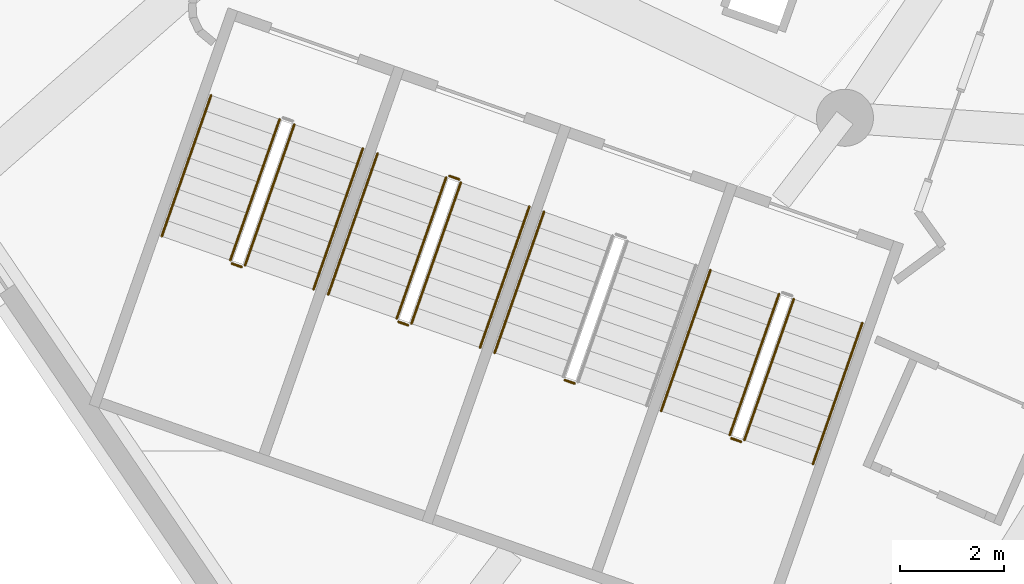
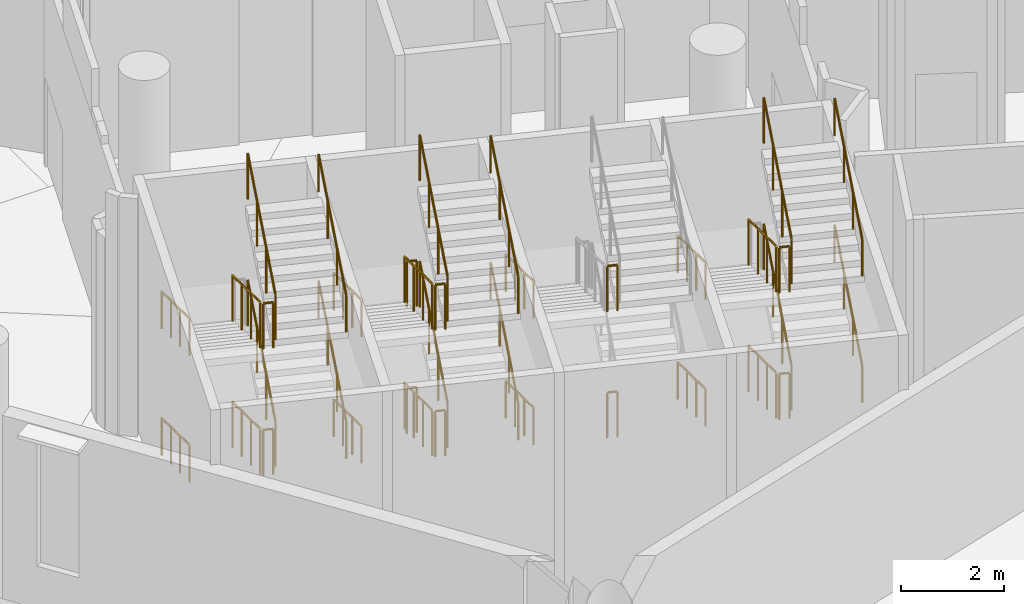
# One storey, part 199 of 249: 36 railings.
"""IFC4 building model written with IfcOpenShell, lengths in metres."""

from ifc_helpers import new_model, si_unit, direction, frame, origin, origin_2d, place, context, subcontext, project, spatial, circle, extrude, material, type_object, element, save


model = new_model("IFC4")

# Units and contexts
model_context = context("Model", 3, precision=1e-05, world=origin(), true_north=direction((0.0, 1.0)))
body_context = subcontext(model_context, "Body", "Model", "MODEL_VIEW")
ifc_project = project(units=[si_unit("LENGTHUNIT", "METRE"), si_unit("AREAUNIT", "SQUARE_METRE"), si_unit("VOLUMEUNIT", "CUBIC_METRE"), si_unit("PLANEANGLEUNIT", "RADIAN"), si_unit("MASSUNIT", "GRAM", prefix="KILO")], contexts=[model_context])

# Site, building, storey
site_placement = place(None, origin())
site = spatial("IfcSite", under=ifc_project, at=site_placement, CompositionType="ELEMENT")
building_placement = place(site_placement, origin())
building = spatial("IfcBuilding", under=site, at=building_placement, Name="Meseta Stadium", CompositionType="ELEMENT")
storey_placement = place(building_placement, frame((0.0, 0.0, 12.0)))
storey = spatial("IfcBuildingStorey", under=building, at=storey_placement, Name="L02", CompositionType="ELEMENT", Elevation=12.0)

# Railings
ifc_material_1 = material(Name="Steel S355", Category="steel")
railing_type_1 = type_object("IfcRailingType", Name="Stair guard 1100", PredefinedType="GUARDRAIL", material=ifc_material_1)
railing_1_placement = place(storey_placement, frame((-65.421630859375, -89.608154296875, 0.14990234375)))
element("IfcRailing", 1, at=railing_1_placement, inside=storey, type_object=railing_type_1, Name="ST85 L02 guard 1", PredefinedType="GUARDRAIL", context=body_context, shape_type="SweptSolid", body=[
    extrude(circle(Radius=0.02392578125, at=origin_2d()), frame((0.0, 0.0, 1.076171875), z_axis=(-0.299050945451, -0.854628651604, 0.424474262922), x_axis=(0.943882143717, -0.33028245302, 0.0)), (0.0, 0.0, 1.0), 3.1806640625),
    extrude(circle(Radius=0.02099609375, at=origin_2d()), origin(), (0.0, 0.0, 1.0), 1.052001953125),
    extrude(circle(Radius=0.02099609375, at=origin_2d()), frame((-0.317138671875, -0.906005859375, 0.449951171875)), (0.0, 0.0, 1.0), 1.052001953125),
    extrude(circle(Radius=0.02099609375, at=origin_2d()), frame((-0.634033203125, -1.812255859375, 0.900146484375)), (0.0, 0.0, 1.0), 1.052001953125),
    extrude(circle(Radius=0.02099609375, at=origin_2d()), frame((-0.951171875, -2.71826171875, 1.35009765625)), (0.0, 0.0, 1.0), 1.052001953125),
])
railing_2_placement = place(storey_placement, frame((-66.342041015625, -92.39013671875, 1.5)))
element("IfcRailing", 2, at=railing_2_placement, inside=storey, type_object=railing_type_1, Name="ST85 L02 guard 2", PredefinedType="GUARDRAIL", context=body_context, shape_type="SweptSolid", body=[
    extrude(circle(Radius=0.02392578125, at=origin_2d()), frame((0.0, 0.0, 1.076171875), z_axis=(0.943686935281, -0.330839792317, 0.0), x_axis=(0.330839792317, 0.943686935281, 0.0)), (0.0, 0.0, 1.0), 0.199951171875),
    extrude(circle(Radius=0.02099609375, at=origin_2d()), origin(), (0.0, 0.0, 1.0), 1.052001953125),
    extrude(circle(Radius=0.02099609375, at=origin_2d()), frame((0.188720703125, -0.066162109375, 0.0)), (0.0, 0.0, 1.0), 1.052001953125),
])
railing_3_placement = place(storey_placement, frame((-66.089599609375, -92.425537109375, 1.64990234375)))
element("IfcRailing", 3, at=railing_3_placement, inside=storey, type_object=railing_type_1, Name="ST85 L02 guard 3", PredefinedType="GUARDRAIL", context=body_context, shape_type="SweptSolid", body=[
    extrude(circle(Radius=0.02392578125, at=origin_2d()), frame((0.0, 0.0, 1.076171875), z_axis=(0.299050945451, 0.854628651604, 0.424474262922), x_axis=(-0.943882143717, 0.33028245302, 0.0)), (0.0, 0.0, 1.0), 3.1806640625),
    extrude(circle(Radius=0.02099609375, at=origin_2d()), origin(), (0.0, 0.0, 1.0), 1.052001953125),
    extrude(circle(Radius=0.02099609375, at=origin_2d()), frame((0.317138671875, 0.906005859375, 0.449951171875)), (0.0, 0.0, 1.0), 1.052001953125),
    extrude(circle(Radius=0.02099609375, at=origin_2d()), frame((0.634033203125, 1.812255859375, 0.900146484375)), (0.0, 0.0, 1.0), 1.052001953125),
    extrude(circle(Radius=0.02099609375, at=origin_2d()), frame((0.951171875, 2.71826171875, 1.35009765625)), (0.0, 0.0, 1.0), 1.052001953125),
])
railing_4_placement = place(storey_placement, frame((-65.421630859375, -89.608154296875, 3.14990234375)))
element("IfcRailing", 4, at=railing_4_placement, inside=storey, type_object=railing_type_1, Name="ST85 L02 guard 5", PredefinedType="GUARDRAIL", context=body_context, shape_type="SweptSolid", body=[
    extrude(circle(Radius=0.02392578125, at=origin_2d()), frame((0.0, 0.0, 1.076171875), z_axis=(-0.299050945451, -0.854628651604, 0.424474262922), x_axis=(0.943882143717, -0.33028245302, 0.0)), (0.0, 0.0, 1.0), 3.1806640625),
    extrude(circle(Radius=0.02099609375, at=origin_2d()), origin(), (0.0, 0.0, 1.0), 1.052001953125),
    extrude(circle(Radius=0.02099609375, at=origin_2d()), frame((-0.317138671875, -0.906005859375, 0.449951171875)), (0.0, 0.0, 1.0), 1.052001953125),
    extrude(circle(Radius=0.02099609375, at=origin_2d()), frame((-0.634033203125, -1.812255859375, 0.900146484375)), (0.0, 0.0, 1.0), 1.052001953125),
    extrude(circle(Radius=0.02099609375, at=origin_2d()), frame((-0.951171875, -2.71826171875, 1.35009765625)), (0.0, 0.0, 1.0), 1.052001953125),
])
railing_5_placement = place(storey_placement, frame((-66.342041015625, -92.39013671875, 4.5)))
element("IfcRailing", 5, at=railing_5_placement, inside=storey, type_object=railing_type_1, Name="ST85 L02 guard 6", PredefinedType="GUARDRAIL", context=body_context, shape_type="SweptSolid", body=[
    extrude(circle(Radius=0.02392578125, at=origin_2d()), frame((0.0, 0.0, 1.076171875), z_axis=(0.943686935281, -0.330839792317, 0.0), x_axis=(0.330839792317, 0.943686935281, 0.0)), (0.0, 0.0, 1.0), 0.199951171875),
    extrude(circle(Radius=0.02099609375, at=origin_2d()), origin(), (0.0, 0.0, 1.0), 1.052001953125),
    extrude(circle(Radius=0.02099609375, at=origin_2d()), frame((0.188720703125, -0.066162109375, 0.0)), (0.0, 0.0, 1.0), 1.052001953125),
])
railing_6_placement = place(storey_placement, frame((-66.089599609375, -92.425537109375, 4.64990234375)))
element("IfcRailing", 6, at=railing_6_placement, inside=storey, type_object=railing_type_1, Name="ST85 L02 guard 7", PredefinedType="GUARDRAIL", context=body_context, shape_type="SweptSolid", body=[
    extrude(circle(Radius=0.02392578125, at=origin_2d()), frame((0.0, 0.0, 1.076171875), z_axis=(0.299050945451, 0.854628651604, 0.424474262922), x_axis=(-0.943882143717, 0.33028245302, 0.0)), (0.0, 0.0, 1.0), 3.1806640625),
    extrude(circle(Radius=0.02099609375, at=origin_2d()), origin(), (0.0, 0.0, 1.0), 1.052001953125),
    extrude(circle(Radius=0.02099609375, at=origin_2d()), frame((0.317138671875, 0.906005859375, 0.449951171875)), (0.0, 0.0, 1.0), 1.052001953125),
    extrude(circle(Radius=0.02099609375, at=origin_2d()), frame((0.634033203125, 1.812255859375, 0.900146484375)), (0.0, 0.0, 1.0), 1.052001953125),
    extrude(circle(Radius=0.02099609375, at=origin_2d()), frame((0.951171875, 2.71826171875, 1.35009765625)), (0.0, 0.0, 1.0), 1.052001953125),
])
railing_7_placement = place(storey_placement, frame((-62.21240234375, -90.73095703125, 0.14990234375)))
element("IfcRailing", 7, at=railing_7_placement, inside=storey, type_object=railing_type_1, Name="ST86 L02 guard 1", PredefinedType="GUARDRAIL", context=body_context, shape_type="SweptSolid", body=[
    extrude(circle(Radius=0.02392578125, at=origin_2d()), frame((0.0, 0.0, 1.076171875), z_axis=(-0.299031328765, -0.854649344405, 0.42444641891), x_axis=(0.943891390388, -0.330256026668, 0.0)), (0.0, 0.0, 1.0), 3.180908203125),
    extrude(circle(Radius=0.02099609375, at=origin_2d()), origin(), (0.0, 0.0, 1.0), 1.052001953125),
    extrude(circle(Radius=0.02099609375, at=origin_2d()), frame((-0.317138671875, -0.90625, 0.449951171875)), (0.0, 0.0, 1.0), 1.052001953125),
    extrude(circle(Radius=0.02099609375, at=origin_2d()), frame((-0.634033203125, -1.812255859375, 0.900146484375)), (0.0, 0.0, 1.0), 1.052001953125),
    extrude(circle(Radius=0.02099609375, at=origin_2d()), frame((-0.951171875, -2.718505859375, 1.35009765625)), (0.0, 0.0, 1.0), 1.052001953125),
])
railing_8_placement = place(storey_placement, frame((-63.1328125, -93.51318359375, 1.5)))
element("IfcRailing", 8, at=railing_8_placement, inside=storey, type_object=railing_type_1, Name="ST86 L02 guard 2", PredefinedType="GUARDRAIL", context=body_context, shape_type="SweptSolid", body=[
    extrude(circle(Radius=0.02392578125, at=origin_2d()), frame((0.0, 0.0, 1.076171875), z_axis=(0.944067610699, -0.329751946816, 0.0), x_axis=(0.329751946816, 0.944067610699, 0.0)), (0.0, 0.0, 1.0), 0.199951171875),
    extrude(circle(Radius=0.02099609375, at=origin_2d()), origin(), (0.0, 0.0, 1.0), 1.052001953125),
    extrude(circle(Radius=0.02099609375, at=origin_2d()), frame((0.188720703125, -0.06591796875, 0.0)), (0.0, 0.0, 1.0), 1.052001953125),
])
railing_9_placement = place(storey_placement, frame((-62.88037109375, -93.548583984375, 1.64990234375)))
element("IfcRailing", 9, at=railing_9_placement, inside=storey, type_object=railing_type_1, Name="ST86 L02 guard 3", PredefinedType="GUARDRAIL", context=body_context, shape_type="SweptSolid", body=[
    extrude(circle(Radius=0.02392578125, at=origin_2d()), frame((0.0, 0.0, 1.076171875), z_axis=(0.299031328765, 0.854649344405, 0.42444641891), x_axis=(-0.943891390388, 0.330256026668, 0.0)), (0.0, 0.0, 1.0), 3.180908203125),
    extrude(circle(Radius=0.02099609375, at=origin_2d()), origin(), (0.0, 0.0, 1.0), 1.052001953125),
    extrude(circle(Radius=0.02099609375, at=origin_2d()), frame((0.317138671875, 0.90625, 0.449951171875)), (0.0, 0.0, 1.0), 1.052001953125),
    extrude(circle(Radius=0.02099609375, at=origin_2d()), frame((0.634033203125, 1.812255859375, 0.900146484375)), (0.0, 0.0, 1.0), 1.052001953125),
    extrude(circle(Radius=0.02099609375, at=origin_2d()), frame((0.951171875, 2.718505859375, 1.35009765625)), (0.0, 0.0, 1.0), 1.052001953125),
])
railing_10_placement = place(storey_placement, frame((-62.148681640625, -90.700439453125, 3.0)))
element("IfcRailing", 10, at=railing_10_placement, inside=storey, type_object=railing_type_1, Name="ST86 L02 guard 4", PredefinedType="GUARDRAIL", context=body_context, shape_type="SweptSolid", body=[
    extrude(circle(Radius=0.02392578125, at=origin_2d()), frame((0.0, 0.0, 1.076171875), z_axis=(0.944067610699, -0.329751946816, 0.0), x_axis=(0.329751946816, 0.944067610699, 0.0)), (0.0, 0.0, 1.0), 0.199951171875),
    extrude(circle(Radius=0.02099609375, at=origin_2d()), origin(), (0.0, 0.0, 1.0), 1.052001953125),
    extrude(circle(Radius=0.02099609375, at=origin_2d()), frame((0.188720703125, -0.06591796875, 0.0)), (0.0, 0.0, 1.0), 1.052001953125),
])
railing_11_placement = place(storey_placement, frame((-62.21240234375, -90.73095703125, 3.14990234375)))
element("IfcRailing", 11, at=railing_11_placement, inside=storey, type_object=railing_type_1, Name="ST86 L02 guard 5", PredefinedType="GUARDRAIL", context=body_context, shape_type="SweptSolid", body=[
    extrude(circle(Radius=0.02392578125, at=origin_2d()), frame((0.0, 0.0, 1.076171875), z_axis=(-0.299031328765, -0.854649344405, 0.42444641891), x_axis=(0.943891390388, -0.330256026668, 0.0)), (0.0, 0.0, 1.0), 3.180908203125),
    extrude(circle(Radius=0.02099609375, at=origin_2d()), origin(), (0.0, 0.0, 1.0), 1.052001953125),
    extrude(circle(Radius=0.02099609375, at=origin_2d()), frame((-0.317138671875, -0.90625, 0.449951171875)), (0.0, 0.0, 1.0), 1.052001953125),
    extrude(circle(Radius=0.02099609375, at=origin_2d()), frame((-0.634033203125, -1.812255859375, 0.900146484375)), (0.0, 0.0, 1.0), 1.052001953125),
    extrude(circle(Radius=0.02099609375, at=origin_2d()), frame((-0.951171875, -2.718505859375, 1.35009765625)), (0.0, 0.0, 1.0), 1.052001953125),
])
railing_12_placement = place(storey_placement, frame((-63.1328125, -93.51318359375, 4.5)))
element("IfcRailing", 12, at=railing_12_placement, inside=storey, type_object=railing_type_1, Name="ST86 L02 guard 6", PredefinedType="GUARDRAIL", context=body_context, shape_type="SweptSolid", body=[
    extrude(circle(Radius=0.02392578125, at=origin_2d()), frame((0.0, 0.0, 1.076171875), z_axis=(0.944067610699, -0.329751946816, 0.0), x_axis=(0.329751946816, 0.944067610699, 0.0)), (0.0, 0.0, 1.0), 0.199951171875),
    extrude(circle(Radius=0.02099609375, at=origin_2d()), origin(), (0.0, 0.0, 1.0), 1.052001953125),
    extrude(circle(Radius=0.02099609375, at=origin_2d()), frame((0.188720703125, -0.06591796875, 0.0)), (0.0, 0.0, 1.0), 1.052001953125),
])
railing_13_placement = place(storey_placement, frame((-62.88037109375, -93.548583984375, 4.64990234375)))
element("IfcRailing", 13, at=railing_13_placement, inside=storey, type_object=railing_type_1, Name="ST86 L02 guard 7", PredefinedType="GUARDRAIL", context=body_context, shape_type="SweptSolid", body=[
    extrude(circle(Radius=0.02392578125, at=origin_2d()), frame((0.0, 0.0, 1.076171875), z_axis=(0.299031328765, 0.854649344405, 0.42444641891), x_axis=(-0.943891390388, 0.330256026668, 0.0)), (0.0, 0.0, 1.0), 3.180908203125),
    extrude(circle(Radius=0.02099609375, at=origin_2d()), origin(), (0.0, 0.0, 1.0), 1.052001953125),
    extrude(circle(Radius=0.02099609375, at=origin_2d()), frame((0.317138671875, 0.90625, 0.449951171875)), (0.0, 0.0, 1.0), 1.052001953125),
    extrude(circle(Radius=0.02099609375, at=origin_2d()), frame((0.634033203125, 1.812255859375, 0.900146484375)), (0.0, 0.0, 1.0), 1.052001953125),
    extrude(circle(Radius=0.02099609375, at=origin_2d()), frame((0.951171875, 2.718505859375, 1.35009765625)), (0.0, 0.0, 1.0), 1.052001953125),
])
railing_14_placement = place(storey_placement, frame((-62.148681640625, -90.700439453125, 0.0)))
element("IfcRailing", 14, at=railing_14_placement, inside=storey, type_object=railing_type_1, Name="ST86 L02 guard 8", PredefinedType="GUARDRAIL", context=body_context, shape_type="SweptSolid", body=[
    extrude(circle(Radius=0.02392578125, at=origin_2d()), frame((0.0, 0.0, 1.076171875), z_axis=(0.944067610699, -0.329751946816, 0.0), x_axis=(0.329751946816, 0.944067610699, 0.0)), (0.0, 0.0, 1.0), 0.199951171875),
    extrude(circle(Radius=0.02099609375, at=origin_2d()), origin(), (0.0, 0.0, 1.0), 1.052001953125),
    extrude(circle(Radius=0.02099609375, at=origin_2d()), frame((0.188720703125, -0.06591796875, 0.0)), (0.0, 0.0, 1.0), 1.052001953125),
])
for number, where, name in (
    (15, (-59.923828125, -94.63623046875, 1.5), "ST87 L02 guard 2"),
    (16, (-59.923828125, -94.63623046875, 4.5), "ST87 L02 guard 6"),
):
    element("IfcRailing", number, at=place(storey_placement, frame(where)), inside=storey, type_object=railing_type_1, Name=name, PredefinedType="GUARDRAIL", context=body_context, shape_type="SweptSolid", body=[
        extrude(circle(Radius=0.02392578125, at=origin_2d()), frame((0.0, 0.0, 1.076171875), z_axis=(0.944200181446, -0.329372156318, 0.0), x_axis=(0.329372156318, 0.944200181446, 0.0)), (0.0, 0.0, 1.0), 0.2001953125),
        extrude(circle(Radius=0.02099609375, at=origin_2d()), origin(), (0.0, 0.0, 1.0), 1.052001953125),
        extrude(circle(Radius=0.02099609375, at=origin_2d()), frame((0.18896484375, -0.06591796875, 0.0)), (0.0, 0.0, 1.0), 1.052001953125),
    ])
railing_15_placement = place(storey_placement, frame((-55.7939453125, -92.97705078125, 0.14990234375)))
element("IfcRailing", 17, at=railing_15_placement, inside=storey, type_object=railing_type_1, Name="ST88 L02 guard 1", PredefinedType="GUARDRAIL", context=body_context, shape_type="SweptSolid", body=[
    extrude(circle(Radius=0.02392578125, at=origin_2d()), frame((0.0, 0.0, 1.076171875), z_axis=(-0.299050945451, -0.854628651604, 0.424474262922), x_axis=(0.943882143717, -0.33028245302, 0.0)), (0.0, 0.0, 1.0), 3.1806640625),
    extrude(circle(Radius=0.02099609375, at=origin_2d()), origin(), (0.0, 0.0, 1.0), 1.052001953125),
    extrude(circle(Radius=0.02099609375, at=origin_2d()), frame((-0.317138671875, -0.906005859375, 0.449951171875)), (0.0, 0.0, 1.0), 1.052001953125),
    extrude(circle(Radius=0.02099609375, at=origin_2d()), frame((-0.634033203125, -1.812255859375, 0.900146484375)), (0.0, 0.0, 1.0), 1.052001953125),
    extrude(circle(Radius=0.02099609375, at=origin_2d()), frame((-0.951171875, -2.71826171875, 1.35009765625)), (0.0, 0.0, 1.0), 1.052001953125),
])
railing_16_placement = place(storey_placement, frame((-56.714599609375, -95.759033203125, 1.5)))
element("IfcRailing", 18, at=railing_16_placement, inside=storey, type_object=railing_type_1, Name="ST88 L02 guard 2", PredefinedType="GUARDRAIL", context=body_context, shape_type="SweptSolid", body=[
    extrude(circle(Radius=0.02392578125, at=origin_2d()), frame((0.0, 0.0, 1.076171875), z_axis=(0.943820328543, -0.330459055601, 0.0), x_axis=(0.330459055601, 0.943820328543, 0.0)), (0.0, 0.0, 1.0), 0.2001953125),
    extrude(circle(Radius=0.02099609375, at=origin_2d()), origin(), (0.0, 0.0, 1.0), 1.052001953125),
    extrude(circle(Radius=0.02099609375, at=origin_2d()), frame((0.18896484375, -0.066162109375, 0.0)), (0.0, 0.0, 1.0), 1.052001953125),
])
railing_17_placement = place(storey_placement, frame((-56.462158203125, -95.79443359375, 1.64990234375)))
element("IfcRailing", 19, at=railing_17_placement, inside=storey, type_object=railing_type_1, Name="ST88 L02 guard 3", PredefinedType="GUARDRAIL", context=body_context, shape_type="SweptSolid", body=[
    extrude(circle(Radius=0.02392578125, at=origin_2d()), frame((0.0, 0.0, 1.076171875), z_axis=(0.299120836879, 0.854609032027, 0.424464518332), x_axis=(-0.943855713099, 0.330357976823, 0.0)), (0.0, 0.0, 1.0), 3.1806640625),
    extrude(circle(Radius=0.02099609375, at=origin_2d()), origin(), (0.0, 0.0, 1.0), 1.052001953125),
    extrude(circle(Radius=0.02099609375, at=origin_2d()), frame((0.317138671875, 0.906005859375, 0.449951171875)), (0.0, 0.0, 1.0), 1.052001953125),
    extrude(circle(Radius=0.02099609375, at=origin_2d()), frame((0.63427734375, 1.812255859375, 0.900146484375)), (0.0, 0.0, 1.0), 1.052001953125),
    extrude(circle(Radius=0.02099609375, at=origin_2d()), frame((0.951416015625, 2.71826171875, 1.35009765625)), (0.0, 0.0, 1.0), 1.052001953125),
])
railing_18_placement = place(storey_placement, frame((-55.7939453125, -92.97705078125, 3.14990234375)))
element("IfcRailing", 20, at=railing_18_placement, inside=storey, type_object=railing_type_1, Name="ST88 L02 guard 5", PredefinedType="GUARDRAIL", context=body_context, shape_type="SweptSolid", body=[
    extrude(circle(Radius=0.02392578125, at=origin_2d()), frame((0.0, 0.0, 1.076171875), z_axis=(-0.299050945451, -0.854628651604, 0.424474262922), x_axis=(0.943882143717, -0.33028245302, 0.0)), (0.0, 0.0, 1.0), 3.1806640625),
    extrude(circle(Radius=0.02099609375, at=origin_2d()), origin(), (0.0, 0.0, 1.0), 1.052001953125),
    extrude(circle(Radius=0.02099609375, at=origin_2d()), frame((-0.317138671875, -0.906005859375, 0.449951171875)), (0.0, 0.0, 1.0), 1.052001953125),
    extrude(circle(Radius=0.02099609375, at=origin_2d()), frame((-0.634033203125, -1.812255859375, 0.900146484375)), (0.0, 0.0, 1.0), 1.052001953125),
    extrude(circle(Radius=0.02099609375, at=origin_2d()), frame((-0.951171875, -2.71826171875, 1.35009765625)), (0.0, 0.0, 1.0), 1.052001953125),
])
railing_19_placement = place(storey_placement, frame((-56.714599609375, -95.759033203125, 4.5)))
element("IfcRailing", 21, at=railing_19_placement, inside=storey, type_object=railing_type_1, Name="ST88 L02 guard 6", PredefinedType="GUARDRAIL", context=body_context, shape_type="SweptSolid", body=[
    extrude(circle(Radius=0.02392578125, at=origin_2d()), frame((0.0, 0.0, 1.076171875), z_axis=(0.943820328543, -0.330459055601, 0.0), x_axis=(0.330459055601, 0.943820328543, 0.0)), (0.0, 0.0, 1.0), 0.2001953125),
    extrude(circle(Radius=0.02099609375, at=origin_2d()), origin(), (0.0, 0.0, 1.0), 1.052001953125),
    extrude(circle(Radius=0.02099609375, at=origin_2d()), frame((0.18896484375, -0.066162109375, 0.0)), (0.0, 0.0, 1.0), 1.052001953125),
])
railing_20_placement = place(storey_placement, frame((-56.462158203125, -95.79443359375, 4.64990234375)))
element("IfcRailing", 22, at=railing_20_placement, inside=storey, type_object=railing_type_1, Name="ST88 L02 guard 7", PredefinedType="GUARDRAIL", context=body_context, shape_type="SweptSolid", body=[
    extrude(circle(Radius=0.02392578125, at=origin_2d()), frame((0.0, 0.0, 1.076171875), z_axis=(0.299120836879, 0.854609032027, 0.424464518332), x_axis=(-0.943855713099, 0.330357976823, 0.0)), (0.0, 0.0, 1.0), 3.1806640625),
    extrude(circle(Radius=0.02099609375, at=origin_2d()), origin(), (0.0, 0.0, 1.0), 1.052001953125),
    extrude(circle(Radius=0.02099609375, at=origin_2d()), frame((0.317138671875, 0.906005859375, 0.449951171875)), (0.0, 0.0, 1.0), 1.052001953125),
    extrude(circle(Radius=0.02099609375, at=origin_2d()), frame((0.63427734375, 1.812255859375, 0.900146484375)), (0.0, 0.0, 1.0), 1.052001953125),
    extrude(circle(Radius=0.02099609375, at=origin_2d()), frame((0.951416015625, 2.71826171875, 1.35009765625)), (0.0, 0.0, 1.0), 1.052001953125),
])
ifc_material_2 = material(Name="Steel S355", Category="steel")
railing_type_2 = type_object("IfcRailingType", Name="Stair handrail 900", PredefinedType="HANDRAIL", material=ifc_material_2)
railing_21_placement = place(storey_placement, frame((-66.7431640625, -89.145751953125, 0.14990234375)))
element("IfcRailing", 23, at=railing_21_placement, inside=storey, type_object=railing_type_2, Name="ST85 L02 handrail 1", PredefinedType="HANDRAIL", context=body_context, shape_type="SweptSolid", body=[
    extrude(circle(Radius=0.02392578125, at=origin_2d()), frame((0.0, 0.0, 0.8759765625), z_axis=(-0.299050945451, -0.854628651604, 0.424474262922), x_axis=(0.943882143717, -0.33028245302, 0.0)), (0.0, 0.0, 1.0), 3.1806640625),
    extrude(circle(Radius=0.02099609375, at=origin_2d()), origin(), (0.0, 0.0, 1.0), 0.851806640625),
    extrude(circle(Radius=0.02099609375, at=origin_2d()), frame((-0.317138671875, -0.906005859375, 0.449951171875)), (0.0, 0.0, 1.0), 0.851806640625),
    extrude(circle(Radius=0.02099609375, at=origin_2d()), frame((-0.634033203125, -1.812255859375, 0.900146484375)), (0.0, 0.0, 1.0), 0.851806640625),
    extrude(circle(Radius=0.02099609375, at=origin_2d()), frame((-0.951171875, -2.71826171875, 1.35009765625)), (0.0, 0.0, 1.0), 0.851806640625),
])
railing_22_placement = place(storey_placement, frame((-64.768310546875, -92.887939453125, 1.64990234375)))
element("IfcRailing", 24, at=railing_22_placement, inside=storey, type_object=railing_type_2, Name="ST85 L02 handrail 2", PredefinedType="HANDRAIL", context=body_context, shape_type="SweptSolid", body=[
    extrude(circle(Radius=0.02392578125, at=origin_2d()), frame((0.0, 0.0, 0.8759765625), z_axis=(0.299120836879, 0.854609032027, 0.424464518332), x_axis=(-0.943855713099, 0.330357976823, 0.0)), (0.0, 0.0, 1.0), 3.1806640625),
    extrude(circle(Radius=0.02099609375, at=origin_2d()), origin(), (0.0, 0.0, 1.0), 0.851806640625),
    extrude(circle(Radius=0.02099609375, at=origin_2d()), frame((0.317138671875, 0.906005859375, 0.449951171875)), (0.0, 0.0, 1.0), 0.851806640625),
    extrude(circle(Radius=0.02099609375, at=origin_2d()), frame((0.63427734375, 1.812255859375, 0.900146484375)), (0.0, 0.0, 1.0), 0.851806640625),
    extrude(circle(Radius=0.02099609375, at=origin_2d()), frame((0.951416015625, 2.71826171875, 1.35009765625)), (0.0, 0.0, 1.0), 0.851806640625),
])
railing_23_placement = place(storey_placement, frame((-66.7431640625, -89.145751953125, 3.14990234375)))
element("IfcRailing", 25, at=railing_23_placement, inside=storey, type_object=railing_type_2, Name="ST85 L02 handrail 3", PredefinedType="HANDRAIL", context=body_context, shape_type="SweptSolid", body=[
    extrude(circle(Radius=0.02392578125, at=origin_2d()), frame((0.0, 0.0, 0.8759765625), z_axis=(-0.299050945451, -0.854628651604, 0.424474262922), x_axis=(0.943882143717, -0.33028245302, 0.0)), (0.0, 0.0, 1.0), 3.1806640625),
    extrude(circle(Radius=0.02099609375, at=origin_2d()), origin(), (0.0, 0.0, 1.0), 0.851806640625),
    extrude(circle(Radius=0.02099609375, at=origin_2d()), frame((-0.317138671875, -0.906005859375, 0.449951171875)), (0.0, 0.0, 1.0), 0.851806640625),
    extrude(circle(Radius=0.02099609375, at=origin_2d()), frame((-0.634033203125, -1.812255859375, 0.900146484375)), (0.0, 0.0, 1.0), 0.851806640625),
    extrude(circle(Radius=0.02099609375, at=origin_2d()), frame((-0.951171875, -2.71826171875, 1.35009765625)), (0.0, 0.0, 1.0), 0.851806640625),
])
railing_24_placement = place(storey_placement, frame((-64.768310546875, -92.887939453125, 4.64990234375)))
element("IfcRailing", 26, at=railing_24_placement, inside=storey, type_object=railing_type_2, Name="ST85 L02 handrail 4", PredefinedType="HANDRAIL", context=body_context, shape_type="SweptSolid", body=[
    extrude(circle(Radius=0.02392578125, at=origin_2d()), frame((0.0, 0.0, 0.8759765625), z_axis=(0.299120836879, 0.854609032027, 0.424464518332), x_axis=(-0.943855713099, 0.330357976823, 0.0)), (0.0, 0.0, 1.0), 3.1806640625),
    extrude(circle(Radius=0.02099609375, at=origin_2d()), origin(), (0.0, 0.0, 1.0), 0.851806640625),
    extrude(circle(Radius=0.02099609375, at=origin_2d()), frame((0.317138671875, 0.906005859375, 0.449951171875)), (0.0, 0.0, 1.0), 0.851806640625),
    extrude(circle(Radius=0.02099609375, at=origin_2d()), frame((0.63427734375, 1.812255859375, 0.900146484375)), (0.0, 0.0, 1.0), 0.851806640625),
    extrude(circle(Radius=0.02099609375, at=origin_2d()), frame((0.951416015625, 2.71826171875, 1.35009765625)), (0.0, 0.0, 1.0), 0.851806640625),
])
railing_25_placement = place(storey_placement, frame((-63.533935546875, -90.268798828125, 0.14990234375)))
element("IfcRailing", 27, at=railing_25_placement, inside=storey, type_object=railing_type_2, Name="ST86 L02 handrail 1", PredefinedType="HANDRAIL", context=body_context, shape_type="SweptSolid", body=[
    extrude(circle(Radius=0.02392578125, at=origin_2d()), frame((0.0, 0.0, 0.8759765625), z_axis=(-0.299050945451, -0.854628651604, 0.424474262922), x_axis=(0.943882143717, -0.33028245302, 0.0)), (0.0, 0.0, 1.0), 3.1806640625),
    extrude(circle(Radius=0.02099609375, at=origin_2d()), origin(), (0.0, 0.0, 1.0), 0.851806640625),
    extrude(circle(Radius=0.02099609375, at=origin_2d()), frame((-0.317138671875, -0.906005859375, 0.449951171875)), (0.0, 0.0, 1.0), 0.851806640625),
    extrude(circle(Radius=0.02099609375, at=origin_2d()), frame((-0.634033203125, -1.812255859375, 0.900146484375)), (0.0, 0.0, 1.0), 0.851806640625),
    extrude(circle(Radius=0.02099609375, at=origin_2d()), frame((-0.951171875, -2.71826171875, 1.35009765625)), (0.0, 0.0, 1.0), 0.851806640625),
])
railing_26_placement = place(storey_placement, frame((-61.55908203125, -94.010986328125, 1.64990234375)))
element("IfcRailing", 28, at=railing_26_placement, inside=storey, type_object=railing_type_2, Name="ST86 L02 handrail 2", PredefinedType="HANDRAIL", context=body_context, shape_type="SweptSolid", body=[
    extrude(circle(Radius=0.02392578125, at=origin_2d()), frame((0.0, 0.0, 0.8759765625), z_axis=(0.299031328765, 0.854649344405, 0.42444641891), x_axis=(-0.943891390388, 0.330256026668, 0.0)), (0.0, 0.0, 1.0), 3.180908203125),
    extrude(circle(Radius=0.02099609375, at=origin_2d()), origin(), (0.0, 0.0, 1.0), 0.851806640625),
    extrude(circle(Radius=0.02099609375, at=origin_2d()), frame((0.317138671875, 0.90625, 0.449951171875)), (0.0, 0.0, 1.0), 0.851806640625),
    extrude(circle(Radius=0.02099609375, at=origin_2d()), frame((0.634033203125, 1.812255859375, 0.900146484375)), (0.0, 0.0, 1.0), 0.851806640625),
    extrude(circle(Radius=0.02099609375, at=origin_2d()), frame((0.951171875, 2.718505859375, 1.35009765625)), (0.0, 0.0, 1.0), 0.851806640625),
])
railing_27_placement = place(storey_placement, frame((-63.533935546875, -90.268798828125, 3.14990234375)))
element("IfcRailing", 29, at=railing_27_placement, inside=storey, type_object=railing_type_2, Name="ST86 L02 handrail 3", PredefinedType="HANDRAIL", context=body_context, shape_type="SweptSolid", body=[
    extrude(circle(Radius=0.02392578125, at=origin_2d()), frame((0.0, 0.0, 0.8759765625), z_axis=(-0.299050945451, -0.854628651604, 0.424474262922), x_axis=(0.943882143717, -0.33028245302, 0.0)), (0.0, 0.0, 1.0), 3.1806640625),
    extrude(circle(Radius=0.02099609375, at=origin_2d()), origin(), (0.0, 0.0, 1.0), 0.851806640625),
    extrude(circle(Radius=0.02099609375, at=origin_2d()), frame((-0.317138671875, -0.906005859375, 0.449951171875)), (0.0, 0.0, 1.0), 0.851806640625),
    extrude(circle(Radius=0.02099609375, at=origin_2d()), frame((-0.634033203125, -1.812255859375, 0.900146484375)), (0.0, 0.0, 1.0), 0.851806640625),
    extrude(circle(Radius=0.02099609375, at=origin_2d()), frame((-0.951171875, -2.71826171875, 1.35009765625)), (0.0, 0.0, 1.0), 0.851806640625),
])
railing_28_placement = place(storey_placement, frame((-61.55908203125, -94.010986328125, 4.64990234375)))
element("IfcRailing", 30, at=railing_28_placement, inside=storey, type_object=railing_type_2, Name="ST86 L02 handrail 4", PredefinedType="HANDRAIL", context=body_context, shape_type="SweptSolid", body=[
    extrude(circle(Radius=0.02392578125, at=origin_2d()), frame((0.0, 0.0, 0.8759765625), z_axis=(0.299031328765, 0.854649344405, 0.42444641891), x_axis=(-0.943891390388, 0.330256026668, 0.0)), (0.0, 0.0, 1.0), 3.180908203125),
    extrude(circle(Radius=0.02099609375, at=origin_2d()), origin(), (0.0, 0.0, 1.0), 0.851806640625),
    extrude(circle(Radius=0.02099609375, at=origin_2d()), frame((0.317138671875, 0.90625, 0.449951171875)), (0.0, 0.0, 1.0), 0.851806640625),
    extrude(circle(Radius=0.02099609375, at=origin_2d()), frame((0.634033203125, 1.812255859375, 0.900146484375)), (0.0, 0.0, 1.0), 0.851806640625),
    extrude(circle(Radius=0.02099609375, at=origin_2d()), frame((0.951171875, 2.718505859375, 1.35009765625)), (0.0, 0.0, 1.0), 0.851806640625),
])
for number, where, name in (
    (31, (-60.32470703125, -91.3916015625, 0.14990234375), "ST87 L02 handrail 1"),
    (32, (-60.32470703125, -91.3916015625, 3.14990234375), "ST87 L02 handrail 3"),
):
    element("IfcRailing", number, at=place(storey_placement, frame(where)), inside=storey, type_object=railing_type_2, Name=name, PredefinedType="HANDRAIL", context=body_context, shape_type="SweptSolid", body=[
        extrude(circle(Radius=0.02392578125, at=origin_2d()), frame((0.0, 0.0, 0.8759765625), z_axis=(-0.299031328765, -0.854649344405, 0.42444641891), x_axis=(0.943891390388, -0.330256026668, 0.0)), (0.0, 0.0, 1.0), 3.180908203125),
        extrude(circle(Radius=0.02099609375, at=origin_2d()), origin(), (0.0, 0.0, 1.0), 0.851806640625),
        extrude(circle(Radius=0.02099609375, at=origin_2d()), frame((-0.317138671875, -0.90625, 0.449951171875)), (0.0, 0.0, 1.0), 0.851806640625),
        extrude(circle(Radius=0.02099609375, at=origin_2d()), frame((-0.634033203125, -1.812255859375, 0.900146484375)), (0.0, 0.0, 1.0), 0.851806640625),
        extrude(circle(Radius=0.02099609375, at=origin_2d()), frame((-0.951171875, -2.718505859375, 1.35009765625)), (0.0, 0.0, 1.0), 0.851806640625),
    ])
railing_29_placement = place(storey_placement, frame((-57.115478515625, -92.5146484375, 0.14990234375)))
element("IfcRailing", 33, at=railing_29_placement, inside=storey, type_object=railing_type_2, Name="ST88 L02 handrail 1", PredefinedType="HANDRAIL", context=body_context, shape_type="SweptSolid", body=[
    extrude(circle(Radius=0.02392578125, at=origin_2d()), frame((0.0, 0.0, 0.8759765625), z_axis=(-0.299050945451, -0.854628651604, 0.424474262922), x_axis=(0.943882143717, -0.33028245302, 0.0)), (0.0, 0.0, 1.0), 3.1806640625),
    extrude(circle(Radius=0.02099609375, at=origin_2d()), origin(), (0.0, 0.0, 1.0), 0.851806640625),
    extrude(circle(Radius=0.02099609375, at=origin_2d()), frame((-0.317138671875, -0.906005859375, 0.449951171875)), (0.0, 0.0, 1.0), 0.851806640625),
    extrude(circle(Radius=0.02099609375, at=origin_2d()), frame((-0.634033203125, -1.812255859375, 0.900146484375)), (0.0, 0.0, 1.0), 0.851806640625),
    extrude(circle(Radius=0.02099609375, at=origin_2d()), frame((-0.951171875, -2.71826171875, 1.35009765625)), (0.0, 0.0, 1.0), 0.851806640625),
])
railing_30_placement = place(storey_placement, frame((-55.140625, -96.2568359375, 1.64990234375)))
element("IfcRailing", 34, at=railing_30_placement, inside=storey, type_object=railing_type_2, Name="ST88 L02 handrail 2", PredefinedType="HANDRAIL", context=body_context, shape_type="SweptSolid", body=[
    extrude(circle(Radius=0.02392578125, at=origin_2d()), frame((0.0, 0.0, 0.8759765625), z_axis=(0.299031328765, 0.854649344405, 0.42444641891), x_axis=(-0.943891390388, 0.330256026668, 0.0)), (0.0, 0.0, 1.0), 3.180908203125),
    extrude(circle(Radius=0.02099609375, at=origin_2d()), origin(), (0.0, 0.0, 1.0), 0.851806640625),
    extrude(circle(Radius=0.02099609375, at=origin_2d()), frame((0.317138671875, 0.90625, 0.449951171875)), (0.0, 0.0, 1.0), 0.851806640625),
    extrude(circle(Radius=0.02099609375, at=origin_2d()), frame((0.634033203125, 1.812255859375, 0.900146484375)), (0.0, 0.0, 1.0), 0.851806640625),
    extrude(circle(Radius=0.02099609375, at=origin_2d()), frame((0.951171875, 2.718505859375, 1.35009765625)), (0.0, 0.0, 1.0), 0.851806640625),
])
railing_31_placement = place(storey_placement, frame((-57.115478515625, -92.5146484375, 3.14990234375)))
element("IfcRailing", 35, at=railing_31_placement, inside=storey, type_object=railing_type_2, Name="ST88 L02 handrail 3", PredefinedType="HANDRAIL", context=body_context, shape_type="SweptSolid", body=[
    extrude(circle(Radius=0.02392578125, at=origin_2d()), frame((0.0, 0.0, 0.8759765625), z_axis=(-0.299050945451, -0.854628651604, 0.424474262922), x_axis=(0.943882143717, -0.33028245302, 0.0)), (0.0, 0.0, 1.0), 3.1806640625),
    extrude(circle(Radius=0.02099609375, at=origin_2d()), origin(), (0.0, 0.0, 1.0), 0.851806640625),
    extrude(circle(Radius=0.02099609375, at=origin_2d()), frame((-0.317138671875, -0.906005859375, 0.449951171875)), (0.0, 0.0, 1.0), 0.851806640625),
    extrude(circle(Radius=0.02099609375, at=origin_2d()), frame((-0.634033203125, -1.812255859375, 0.900146484375)), (0.0, 0.0, 1.0), 0.851806640625),
    extrude(circle(Radius=0.02099609375, at=origin_2d()), frame((-0.951171875, -2.71826171875, 1.35009765625)), (0.0, 0.0, 1.0), 0.851806640625),
])
railing_32_placement = place(storey_placement, frame((-55.140625, -96.2568359375, 4.64990234375)))
element("IfcRailing", 36, at=railing_32_placement, inside=storey, type_object=railing_type_2, Name="ST88 L02 handrail 4", PredefinedType="HANDRAIL", context=body_context, shape_type="SweptSolid", body=[
    extrude(circle(Radius=0.02392578125, at=origin_2d()), frame((0.0, 0.0, 0.8759765625), z_axis=(0.299031328765, 0.854649344405, 0.42444641891), x_axis=(-0.943891390388, 0.330256026668, 0.0)), (0.0, 0.0, 1.0), 3.180908203125),
    extrude(circle(Radius=0.02099609375, at=origin_2d()), origin(), (0.0, 0.0, 1.0), 0.851806640625),
    extrude(circle(Radius=0.02099609375, at=origin_2d()), frame((0.317138671875, 0.90625, 0.449951171875)), (0.0, 0.0, 1.0), 0.851806640625),
    extrude(circle(Radius=0.02099609375, at=origin_2d()), frame((0.634033203125, 1.812255859375, 0.900146484375)), (0.0, 0.0, 1.0), 0.851806640625),
    extrude(circle(Radius=0.02099609375, at=origin_2d()), frame((0.951171875, 2.718505859375, 1.35009765625)), (0.0, 0.0, 1.0), 0.851806640625),
])

save(model, "model.ifc")
